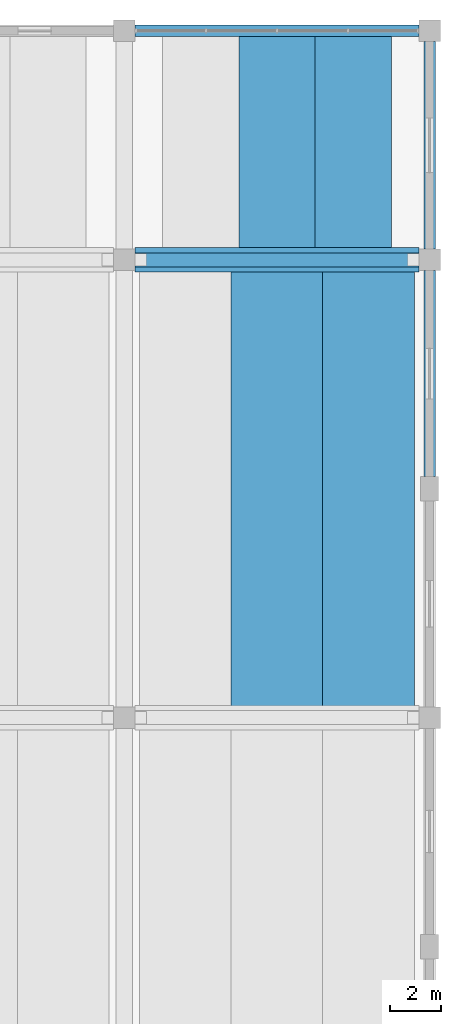
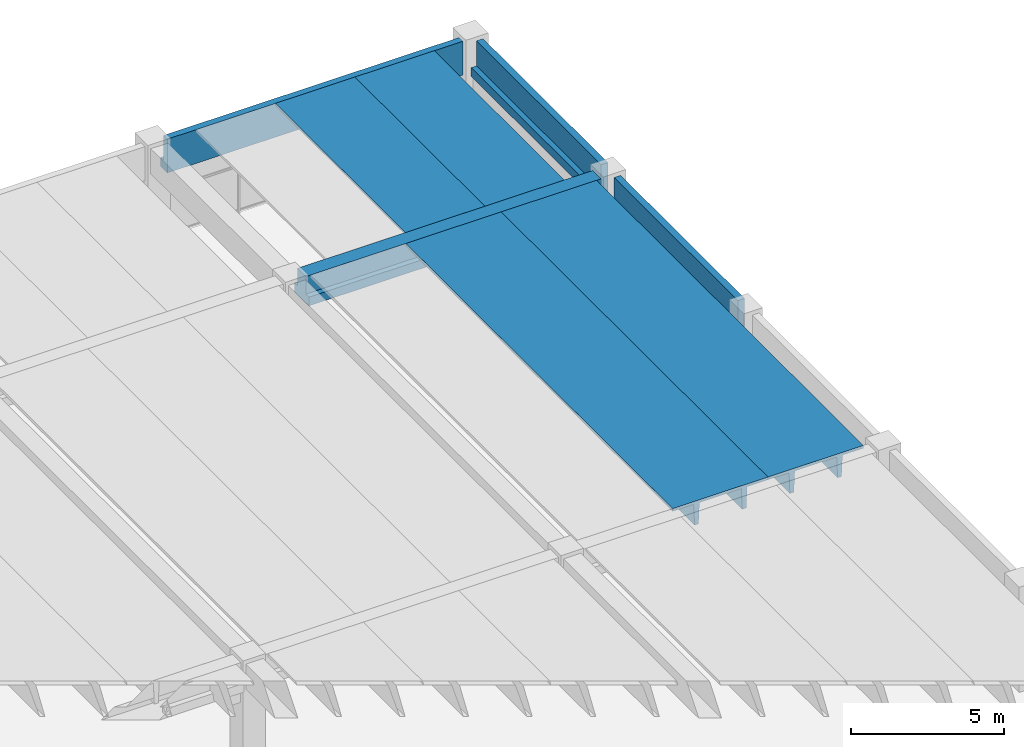
# One storey, part 29 of 50: 8 beams.
"""IFC4 building model written with IfcOpenShell, lengths in metres."""

import ifcopenshell
import ifcopenshell.guid

model = None  # the IFC model being written
_history = None  # IfcOwnerHistory: only IFC2X3 demands one
_inside = {}  # id of a spatial element -> (the spatial element, [elements in it])
_under = {}  # id of a project, library or spatial element -> (it, [spatial elements below it])
_declared = {}  # id of a project -> (the project, [libraries it declares])
_typed = {}  # id of a type object -> (the type object, [elements of that type])
_made_of = {}  # id of a material, layer set ... -> (it, [elements and type objects made of it])


def new_model(schema):
    """Start an empty IFC model of exactly this schema.

    Asked for "IFC4X3", IfcOpenShell would pick the latest addendum, in which some entities
    have other attributes; the version numbers below select the first issue.
    IFC2X3 requires an IfcOwnerHistory on every rooted entity: one is made here for all.
    """
    global model, _history
    if schema == "IFC4X3":
        model = ifcopenshell.file(schema_version=(4, 3, 0, 0))
    else:
        model = ifcopenshell.file(schema=schema)
    _inside.clear()
    _under.clear()
    _declared.clear()
    _typed.clear()
    _made_of.clear()
    _history = None
    if model.schema == "IFC2X3":
        org = make("IfcOrganization", Name="unknown")
        user = make(
            "IfcPersonAndOrganization",
            ThePerson=make("IfcPerson", FamilyName="unknown"),
            TheOrganization=org,
        )
        app = make(
            "IfcApplication",
            ApplicationDeveloper=org,
            Version="unknown",
            ApplicationFullName="unknown",
            ApplicationIdentifier="unknown",
        )
        _history = make(
            "IfcOwnerHistory",
            OwningUser=user,
            OwningApplication=app,
            ChangeAction="ADDED",
            CreationDate=0,
        )
    return model


def make(cls, **values):
    """One entity of the class cls with the attributes given. An attribute that is None is left unset."""
    return model.create_entity(
        cls, **{name: value for name, value in values.items() if value is not None}
    )


def rooted(cls, **values):
    """An entity with a GlobalId (a new one), such as an element, a storey or a relation."""
    return make(cls, GlobalId=ifcopenshell.guid.new(), OwnerHistory=_history, **values)


def si_unit(unit_type, name, prefix=None):
    """IfcSIUnit, for example si_unit("LENGTHUNIT", "METRE", prefix="MILLI")."""
    return make("IfcSIUnit", UnitType=unit_type, Prefix=prefix, Name=name)


def assignment(units):
    """IfcUnitAssignment: the units of a project."""
    return None if units is None else make("IfcUnitAssignment", Units=units)


def point(xyz):
    """IfcCartesianPoint."""
    return None if xyz is None else make("IfcCartesianPoint", Coordinates=xyz)


def direction(xyz):
    """IfcDirection."""
    return None if xyz is None else make("IfcDirection", DirectionRatios=xyz)


def frame(location, z_axis=None, x_axis=None):
    """IfcAxis2Placement3D, a coordinate frame: its origin and axes. An axis left out is left unset."""
    return make(
        "IfcAxis2Placement3D",
        Location=point(location),
        Axis=direction(z_axis),
        RefDirection=direction(x_axis),
    )


def origin():
    """The frame at (0, 0, 0) with its axes left unset."""
    return frame((0.0, 0.0, 0.0))


def place(relative_to, where):
    """IfcLocalPlacement: puts the frame where relative to a parent placement (None: the world)."""
    return make(
        "IfcLocalPlacement", PlacementRelTo=relative_to, RelativePlacement=where
    )


def context(
    kind, dimensions, precision=None, world=None, true_north=None, identifier=None
):
    """IfcGeometricRepresentationContext, for example the 3D "Model" context."""
    return make(
        "IfcGeometricRepresentationContext",
        ContextIdentifier=identifier,
        ContextType=kind,
        CoordinateSpaceDimension=dimensions,
        Precision=precision,
        WorldCoordinateSystem=world,
        TrueNorth=true_north,
    )


def subcontext(parent, identifier, kind, view, scale=None):
    """IfcGeometricRepresentationSubContext, for example "Body" below "Model"."""
    return make(
        "IfcGeometricRepresentationSubContext",
        ContextIdentifier=identifier,
        ContextType=kind,
        ParentContext=parent,
        TargetScale=scale,
        TargetView=view,
    )


def project(units=None, contexts=None):
    """IfcProject with its units and contexts."""
    return rooted(
        "IfcProject",
        Name="project",
        RepresentationContexts=contexts,
        UnitsInContext=assignment(units),
    )


def spatial(cls, under=None, at=None, **own):
    """A site, building, storey or space (cls), placed at a placement, below another one or the project."""
    s = rooted(cls, ObjectPlacement=at, **own)
    if under is not None:
        _under.setdefault(under.id(), (under, []))[1].append(s)
    return s


def polyline(points):
    """IfcPolyline through the points."""
    return make("IfcPolyline", Points=[point(p) for p in points])


def outline(outer, holes=None, kind="AREA"):
    """IfcArbitraryClosedProfileDef: a profile drawn as a closed curve; with holes, ...WithVoids."""
    if holes is None:
        return make("IfcArbitraryClosedProfileDef", ProfileType=kind, OuterCurve=outer)
    return make(
        "IfcArbitraryProfileDefWithVoids",
        ProfileType=kind,
        OuterCurve=outer,
        InnerCurves=holes,
    )


def extrude(swept, where, along, depth):
    """IfcExtrudedAreaSolid: the profile swept, set in the frame where, extruded along a direction by depth."""
    return make(
        "IfcExtrudedAreaSolid",
        SweptArea=swept,
        Position=where,
        ExtrudedDirection=direction(along),
        Depth=depth,
    )


def shape(context_of_items, identifier, shape_type, items):
    """IfcShapeRepresentation: the items that make up one representation, for example the "Body"."""
    return make(
        "IfcShapeRepresentation",
        ContextOfItems=context_of_items,
        RepresentationIdentifier=identifier,
        RepresentationType=shape_type,
        Items=items,
    )


def material(Name=None, Category=None):
    """IfcMaterial."""
    return make("IfcMaterial", Name=Name, Category=Category)


def material_profile(
    of_material, cross_section, Name=None, Category=None, Priority=None
):
    """IfcMaterialProfile: a cross section and its material."""
    return make(
        "IfcMaterialProfile",
        Name=Name,
        Material=of_material,
        Profile=cross_section,
        Priority=Priority,
        Category=Category,
    )


def profile_set(profiles, Name=None, composite=None):
    """IfcMaterialProfileSet."""
    return make(
        "IfcMaterialProfileSet",
        Name=Name,
        MaterialProfiles=profiles,
        CompositeProfile=composite,
    )


def made_of(thing, what):
    """Note that an element or type object is made of a material, layer set ...; save() writes the relation."""
    if what is not None:
        _made_of.setdefault(what.id(), (what, []))[1].append(thing)
    return thing


def type_object(cls, material=None, **own):
    """A type object (cls), such as IfcWallType, which elements share."""
    return made_of(rooted(cls, **own), material)


def element(
    cls,
    number,
    at=None,
    inside=None,
    cuts=None,
    type_object=None,
    material=None,
    context=None,
    identifier="Body",
    shape_type=None,
    held_by="IfcProductDefinitionShape",
    body=None,
    shapes=None,
    **own,
):
    """One element of the class cls, such as IfcWall. Its Tag is "e" and its number.

    at: its placement. inside: the storey or other place that contains it. cuts: it is an
    opening in that element (IfcRelVoidsElement). A single representation is given by context,
    identifier, shape_type and body (its items); several are given by shapes. held_by: the class
    of the entity that holds the representations. save() writes the other relations.
    """
    e = rooted(cls, Tag="e%d" % number, ObjectPlacement=at, **own)
    if body is not None:
        shapes = [shape(context, identifier, shape_type, body)]
    if shapes is not None:
        e.Representation = make(held_by, Representations=shapes)
    if inside is not None:
        _inside.setdefault(inside.id(), (inside, []))[1].append(e)
    if cuts is not None:
        rooted(
            "IfcRelVoidsElement", RelatingBuildingElement=cuts, RelatedOpeningElement=e
        )
    if type_object is not None:
        _typed.setdefault(type_object.id(), (type_object, []))[1].append(e)
    return made_of(e, material)


def aggregate(whole, parts):
    """IfcRelAggregates: a whole, such as a stair, and the parts it consists of."""
    return rooted("IfcRelAggregates", RelatingObject=whole, RelatedObjects=parts)


def save(model, path):
    """Write the relations noted so far, then the file.

    IfcRelAggregates (storeys below a building ...), IfcRelContainedInSpatialStructure (elements
    in a storey), IfcRelDefinesByType, IfcRelAssociatesMaterial and IfcRelDeclares: one each for
    every whole, place, type object, material and project.
    """
    for whole, parts in _under.values():
        aggregate(whole, parts)
    for where, things in _inside.values():
        rooted(
            "IfcRelContainedInSpatialStructure",
            RelatedElements=things,
            RelatingStructure=where,
        )
    for kind, things in _typed.values():
        rooted("IfcRelDefinesByType", RelatedObjects=things, RelatingType=kind)
    for what, things in _made_of.values():
        rooted("IfcRelAssociatesMaterial", RelatedObjects=things, RelatingMaterial=what)
    for by, libraries in _declared.values():
        rooted("IfcRelDeclares", RelatingContext=by, RelatedDefinitions=libraries)
    model.write(path)


model = new_model("IFC4")

# Units and contexts
model_context = context("Model", 3, precision=1e-05, world=origin(), true_north=direction((0.0, 1.0)))
body_context = subcontext(model_context, "Body", "Model", "MODEL_VIEW")
ifc_project = project(units=[si_unit("LENGTHUNIT", "METRE"), si_unit("AREAUNIT", "SQUARE_METRE"), si_unit("VOLUMEUNIT", "CUBIC_METRE"), si_unit("PLANEANGLEUNIT", "RADIAN"), si_unit("MASSUNIT", "GRAM", prefix="KILO")], contexts=[model_context])

# Site, building, storey
site_placement = place(None, origin())
site = spatial("IfcSite", under=ifc_project, at=site_placement, CompositionType="ELEMENT")
building_placement = place(site_placement, origin())
building = spatial("IfcBuilding", under=site, at=building_placement, Name="Girod Span Mobility Hub", CompositionType="ELEMENT")
storey_placement = place(building_placement, frame((0.0, 0.0, 5.39990234375)))
storey = spatial("IfcBuildingStorey", under=building, at=storey_placement, Name="L01", CompositionType="ELEMENT", Elevation=5.39990234375)

# Beams
ifc_material_1 = material(Name="Concrete C50/60", Category="concrete")
ifc_material_profile_1 = material_profile(ifc_material_1, outline(polyline([(-1.5, 0.35009765625), (-1.5, 0.2548828125), (-0.840087890625, 0.2548828125), (-0.81494140625, -0.35009765625), (-0.68505859375, -0.35009765625), (-0.659912109375, 0.2548828125), (0.659912109375, 0.2548828125), (0.68505859375, -0.35009765625), (0.81494140625, -0.35009765625), (0.840087890625, 0.2548828125), (1.5, 0.2548828125), (1.5, 0.35009765625), (-1.5, 0.35009765625)])), Name="DT-3000X700")
ifc_profile_set_1 = profile_set([ifc_material_profile_1], Name="Concrete C50/60")
beam_type_1 = type_object("IfcBeamType", Name="BM-DT-3000X700", PredefinedType="JOIST", material=ifc_profile_set_1)
for number, where, z_axis, x_axis, name in (
    (1, (162.0, 105.27197265625, 3.690185546875), (0.0, 1.0, 0.0), (-1.0, 0.0, 0.0), "Double-Tee Deck 14/H-2 L01"),
    (2, (165.0, 105.27197265625, 3.690185546875), (0.0, 1.0, 0.0), (-1.0, 0.0, 0.0), "Double-Tee Deck 14/H-3 L01"),
):
    element("IfcBeam", number, at=place(storey_placement, frame(where, z_axis=z_axis, x_axis=x_axis)), inside=storey, type_object=beam_type_1, Name=name, PredefinedType="JOIST", context=body_context, shape_type="SweptSolid", body=[
        extrude(outline(polyline([(-1.5, 0.35009765625), (-1.5, 0.2548828125), (-0.840087890625, 0.2548828125), (-0.81494140625, -0.35009765625), (-0.68505859375, -0.35009765625), (-0.659912109375, 0.2548828125), (0.659912109375, 0.2548828125), (0.68505859375, -0.35009765625), (0.81494140625, -0.35009765625), (0.840087890625, 0.2548828125), (1.5, 0.2548828125), (1.5, 0.35009765625), (-1.5, 0.35009765625)])), origin(), (0.0, 0.0, 1.0), 8.506103515625),
    ])
ifc_material_2 = material(Name="Concrete C50/60", Category="concrete")
ifc_material_profile_2 = material_profile(ifc_material_2, outline(polyline([(-1.800048828125, 0.47509765625), (-1.800048828125, 0.364990234375), (-1.010009765625, 0.364990234375), (-0.97509765625, -0.47509765625), (-0.824951171875, -0.47509765625), (-0.7900390625, 0.364990234375), (0.7900390625, 0.364990234375), (0.824951171875, -0.47509765625), (0.97509765625, -0.47509765625), (1.010009765625, 0.364990234375), (1.800048828125, 0.364990234375), (1.800048828125, 0.47509765625), (-1.800048828125, 0.47509765625)])), Name="DT-3600X950")
ifc_profile_set_2 = profile_set([ifc_material_profile_2], Name="Concrete C50/60")
beam_type_2 = type_object("IfcBeamType", Name="BM-DT-3600X950", PredefinedType="JOIST", material=ifc_profile_set_2)
for number, where, z_axis, x_axis, name in (
    (3, (162.0, 87.27197265625, 3.565185546875), (0.0, 1.0, 0.0), (-1.0, 0.0, 0.0), "Double-Tee Deck 14/G-2 L01"),
    (4, (165.60009765625, 87.27197265625, 3.565185546875), (0.0, 1.0, 0.0), (-1.0, 0.0, 0.0), "Double-Tee Deck 14/G-3 L01"),
):
    element("IfcBeam", number, at=place(storey_placement, frame(where, z_axis=z_axis, x_axis=x_axis)), inside=storey, type_object=beam_type_2, Name=name, PredefinedType="JOIST", context=body_context, shape_type="SweptSolid", body=[
        extrude(outline(polyline([(-1.800048828125, 0.47509765625), (-1.800048828125, 0.364990234375), (-1.010009765625, 0.364990234375), (-0.97509765625, -0.47509765625), (-0.824951171875, -0.47509765625), (-0.7900390625, 0.364990234375), (0.7900390625, 0.364990234375), (0.824951171875, -0.47509765625), (0.97509765625, -0.47509765625), (1.010009765625, 0.364990234375), (1.800048828125, 0.364990234375), (1.800048828125, 0.47509765625), (-1.800048828125, 0.47509765625)])), origin(), (0.0, 0.0, 1.0), 17.4560546875),
    ])
ifc_material_3 = material(Name="Concrete C50/60", Category="concrete")
ifc_material_profile_3 = material_profile(ifc_material_3, outline(polyline([(-0.47509765625, -0.52490234375), (0.47509765625, -0.52490234375), (0.47509765625, -0.175048828125), (0.27490234375, -0.175048828125), (0.27490234375, 0.52490234375), (-0.27490234375, 0.52490234375), (-0.27490234375, -0.175048828125), (-0.47509765625, -0.175048828125), (-0.47509765625, -0.52490234375)])), Name="IT-950X1050")
ifc_profile_set_3 = profile_set([ifc_material_profile_3], Name="Concrete C50/60")
beam_type_3 = type_object("IfcBeamType", Name="BM-IT-950X1050", PredefinedType="T_BEAM", material=ifc_profile_set_3)
beam_1_placement = place(storey_placement, frame((156.422119140625, 105.0, 3.51513671875), z_axis=(1.0, 0.0, 0.0), x_axis=(0.0, 1.0, 0.0)))
element("IfcBeam", 5, at=beam_1_placement, inside=storey, type_object=beam_type_3, Name="Girder 14-15/H L01", PredefinedType="T_BEAM", context=body_context, shape_type="SweptSolid", body=[
    extrude(outline(polyline([(-0.47509765625, -0.52490234375), (0.47509765625, -0.52490234375), (0.47509765625, -0.175048828125), (0.27490234375, -0.175048828125), (0.27490234375, 0.52490234375), (-0.27490234375, 0.52490234375), (-0.27490234375, -0.175048828125), (-0.47509765625, -0.175048828125), (-0.47509765625, -0.52490234375)])), origin(), (0.0, 0.0, 1.0), 11.15576171875),
])
ifc_material_4 = material(Name="Concrete C40/50", Category="concrete")
ifc_material_profile_4 = material_profile(ifc_material_4, outline(polyline([(-0.22509765625, -0.675048828125), (0.22509765625, -0.675048828125), (0.22509765625, -0.324951171875), (0.02490234375, -0.324951171875), (0.02490234375, 0.675048828125), (-0.22509765625, 0.675048828125), (-0.22509765625, -0.675048828125)])), Name="SP-450X1350")
ifc_profile_set_4 = profile_set([ifc_material_profile_4], Name="Concrete C40/50")
beam_type_4 = type_object("IfcBeamType", Name="BM-SP-450X1350", PredefinedType="SPANDREL", material=ifc_profile_set_4)
beam_2_placement = place(storey_placement, frame((156.422119140625, 114.0, 3.364990234375), z_axis=(1.0, 0.0, 0.0), x_axis=(0.0, 1.0, 0.0)))
element("IfcBeam", 6, at=beam_2_placement, inside=storey, type_object=beam_type_4, Name="Girder 14-15/J L01", PredefinedType="SPANDREL", context=body_context, shape_type="SweptSolid", body=[
    extrude(outline(polyline([(-0.22509765625, -0.675048828125), (0.22509765625, -0.675048828125), (0.22509765625, -0.324951171875), (0.02490234375, -0.324951171875), (0.02490234375, 0.675048828125), (-0.22509765625, 0.675048828125), (-0.22509765625, -0.675048828125)])), origin(), (0.0, 0.0, 1.0), 11.15576171875),
])
beam_3_placement = place(storey_placement, frame((168.0, 96.471923828125, 3.364990234375), z_axis=(0.0, 1.0, 0.0), x_axis=(-1.0, 0.0, 0.0)))
element("IfcBeam", 7, at=beam_3_placement, inside=storey, type_object=beam_type_4, Name="Perimeter Spandrel 15/G-N L01", PredefinedType="SPANDREL", context=body_context, shape_type="SweptSolid", body=[
    extrude(outline(polyline([(-0.22509765625, -0.675048828125), (0.22509765625, -0.675048828125), (0.22509765625, -0.324951171875), (0.02490234375, -0.324951171875), (0.02490234375, 0.675048828125), (-0.22509765625, 0.675048828125), (-0.22509765625, -0.675048828125)])), origin(), (0.0, 0.0, 1.0), 8.10595703125),
])
beam_4_placement = place(storey_placement, frame((168.0, 105.422119140625, 3.364990234375), z_axis=(0.0, 1.0, 0.0), x_axis=(-1.0, 0.0, 0.0)))
element("IfcBeam", 8, at=beam_4_placement, inside=storey, type_object=beam_type_4, Name="Tie Girder 15/H-J L01", PredefinedType="SPANDREL", context=body_context, shape_type="SweptSolid", body=[
    extrude(outline(polyline([(-0.22509765625, -0.675048828125), (0.22509765625, -0.675048828125), (0.22509765625, -0.324951171875), (0.02490234375, -0.324951171875), (0.02490234375, 0.675048828125), (-0.22509765625, 0.675048828125), (-0.22509765625, -0.675048828125)])), origin(), (0.0, 0.0, 1.0), 8.15576171875),
])

save(model, "model.ifc")
